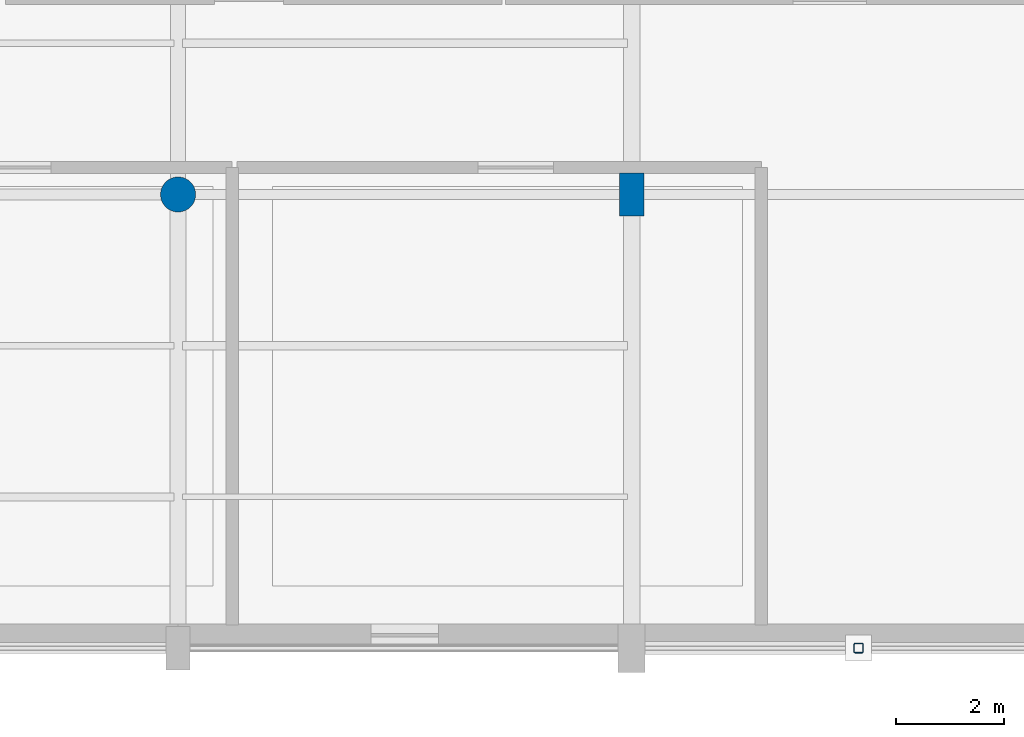
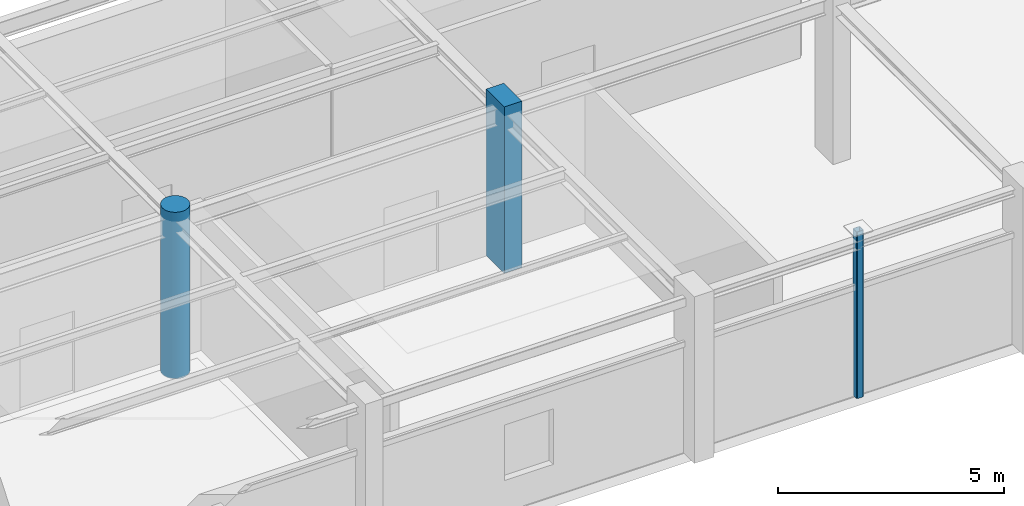
# One storey, part 2 of 106: 3 columns.
"""IFC4 building model written with IfcOpenShell, lengths in metres."""

from ifc_helpers import new_model, si_unit, derived_unit, direction, frame, origin, origin_2d, place, context, subcontext, project, spatial, rectangle, hollow_rectangle, circle, extrude, material, material_profile, profile_set, type_object, element, save


model = new_model("IFC4")

# Units and contexts
model_context = context("Model", 3, precision=1e-05, world=origin(), true_north=direction((0.0, 1.0)))
body_context = subcontext(model_context, "Body", "Model", "MODEL_VIEW")
ifc_project = project(units=[si_unit("LENGTHUNIT", "METRE"), si_unit("AREAUNIT", "SQUARE_METRE"), si_unit("VOLUMEUNIT", "CUBIC_METRE"), si_unit("PLANEANGLEUNIT", "RADIAN"), si_unit("MASSUNIT", "GRAM", prefix="KILO"), derived_unit("THERMALTRANSMITTANCEUNIT", [(si_unit("POWERUNIT", "WATT"), 1), (si_unit("AREAUNIT", "SQUARE_METRE"), -1), (si_unit("THERMODYNAMICTEMPERATUREUNIT", "KELVIN"), -1)])], contexts=[model_context])

# Site, building, storey
site_placement = place(None, origin())
site = spatial("IfcSite", under=ifc_project, at=site_placement, CompositionType="ELEMENT")
building_placement = place(site_placement, origin())
building = spatial("IfcBuilding", under=site, at=building_placement, Name="Yasenodar Specialist Clinic", CompositionType="ELEMENT")
storey_placement = place(building_placement, frame((0.0, 0.0, 4.5)))
storey = spatial("IfcBuildingStorey", under=building, at=storey_placement, Name="L01", CompositionType="ELEMENT", Elevation=4.5)

# Columns
ifc_material_1 = material(Name="Concrete C35/45", Category="concrete")
ifc_material_profile_1 = material_profile(ifc_material_1, rectangle(XDim=0.449951171875, YDim=0.800048828125, at=origin_2d()), Name="RC 450x800")
ifc_profile_set_1 = profile_set([ifc_material_profile_1], Name="Concrete C35/45")
column_type_1 = type_object("IfcColumnType", Name="COL-RC-450x800", PredefinedType="COLUMN", material=ifc_profile_set_1)
column_1_placement = place(storey_placement, frame((25.199951171875, 8.39990234375, 0.0), z_axis=(0.0, 0.0, 1.0), x_axis=(1.0, 0.0, 0.0)))
element("IfcColumn", 1, at=column_1_placement, inside=storey, type_object=column_type_1, Name="L01 Column V2-047", PredefinedType="COLUMN", context=body_context, shape_type="SweptSolid", body=[
    extrude(rectangle(XDim=0.449951171875, YDim=0.800048828125, at=origin_2d()), origin(), (0.0, 0.0, 1.0), 4.5),
])
ifc_material_profile_2 = material_profile(ifc_material_1, circle(Radius=0.324951171875, at=origin_2d()), Name="RC D650")
ifc_profile_set_2 = profile_set([ifc_material_profile_2], Name="Concrete C35/45")
column_type_2 = type_object("IfcColumnType", Name="COL-RC-D650", PredefinedType="COLUMN", material=ifc_profile_set_2)
column_2_placement = place(storey_placement, frame((16.800048828125, 8.39990234375, 0.0), z_axis=(0.0, 0.0, 1.0), x_axis=(1.0, 0.0, 0.0)))
element("IfcColumn", 2, at=column_2_placement, inside=storey, type_object=column_type_2, Name="L01 Column V2-032", PredefinedType="COLUMN", context=body_context, shape_type="SweptSolid", body=[
    extrude(circle(Radius=0.324951171875, at=origin_2d()), origin(), (0.0, 0.0, 1.0), 4.5),
])
ifc_material_2 = material(Name="Steel S355", Category="steel")
ifc_material_profile_3 = material_profile(ifc_material_2, hollow_rectangle(XDim=0.179931640625, YDim=0.179931640625, WallThickness=0.010009765625, InnerFilletRadius=0.014892578125, OuterFilletRadius=0.02490234375, at=origin_2d()), Name="SHS 180x180x10")
ifc_profile_set_3 = profile_set([ifc_material_profile_3], Name="Steel S355")
column_type_3 = type_object("IfcColumnType", Name="PIL-ST-SHS180", PredefinedType="PILASTER", material=ifc_profile_set_3)
column_3_placement = place(storey_placement, frame((29.39990234375, 0.0, 0.0), z_axis=(0.0, 0.0, 1.0), x_axis=(1.0, 0.0, 0.0)))
element("IfcColumn", 3, at=column_3_placement, inside=storey, type_object=column_type_3, Name="L01 Arcade Pilaster 08", PredefinedType="PILASTER", context=body_context, shape_type="SweptSolid", body=[
    extrude(hollow_rectangle(XDim=0.179931640625, YDim=0.179931640625, WallThickness=0.010009765625, InnerFilletRadius=0.014892578125, OuterFilletRadius=0.02490234375, at=origin_2d()), origin(), (0.0, 0.0, 1.0), 4.5),
])

save(model, "model.ifc")
